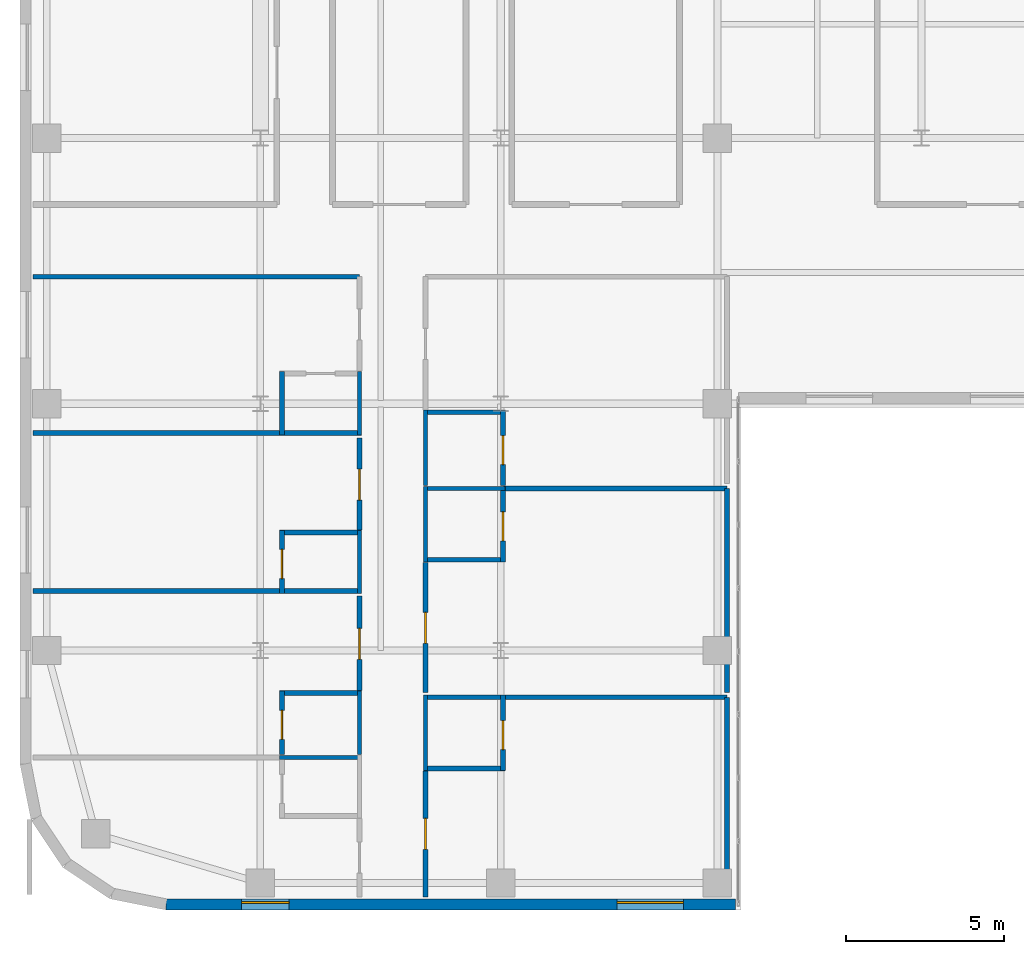
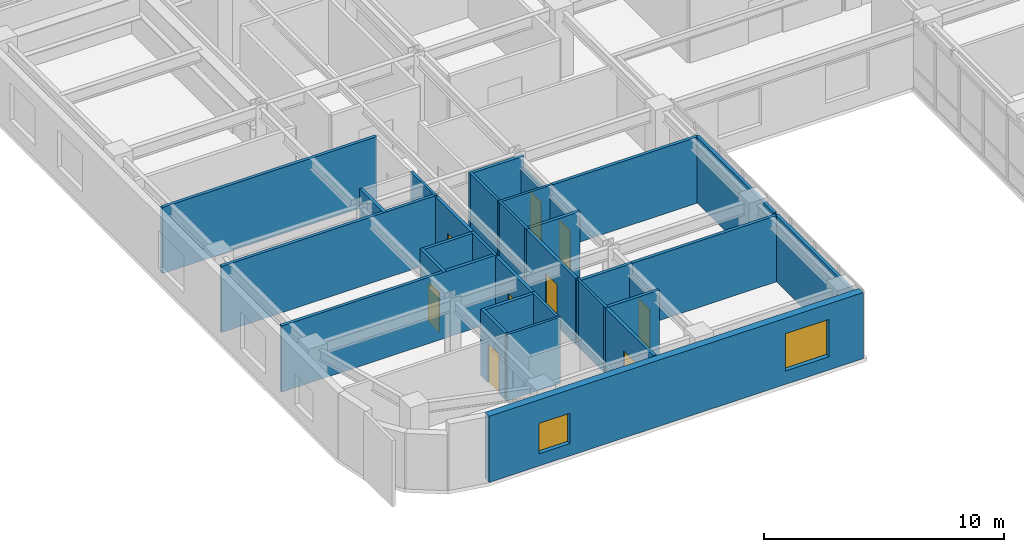
# One storey, part 10 of 17: 32 walls, 9 doors, 2 windows, 11 openings.
"""IFC4 building model written with IfcOpenShell, lengths in metres."""

from ifc_helpers import new_model, si_unit, direction, frame, frame_2d, origin, place, context, subcontext, project, spatial, rectangle, extrude, source, transform, mapped, material, layer, layer_set, type_object, type_shapes, element, fill, save


model = new_model("IFC4")

# Units and contexts
model_context = context("Model", 3, precision=1e-05, world=origin(), true_north=direction((0.0, 1.0)))
body_context = subcontext(model_context, "Body", "Model", "MODEL_VIEW")
ifc_project = project(units=[si_unit("LENGTHUNIT", "METRE"), si_unit("AREAUNIT", "SQUARE_METRE"), si_unit("VOLUMEUNIT", "CUBIC_METRE"), si_unit("PLANEANGLEUNIT", "RADIAN"), si_unit("MASSUNIT", "GRAM", prefix="KILO")], contexts=[model_context])

# Site, building, storey
site_placement = place(None, origin())
site = spatial("IfcSite", under=ifc_project, at=site_placement, CompositionType="ELEMENT")
building_placement = place(site_placement, origin())
building = spatial("IfcBuilding", under=site, at=building_placement, Name="Tolvann Quenvar Hotel", CompositionType="ELEMENT")
storey_placement = place(building_placement, frame((0.0, 0.0, 129.300048828125)))
storey = spatial("IfcBuildingStorey", under=building, at=storey_placement, Name="L33", CompositionType="ELEMENT", Elevation=129.300048828125)

# Wall, openings, windows
ifc_material_1 = material(Name="Kiln-fired red and buff architectural clay brickwork and terracotta masonry", Category="masonry")
ifc_layer_1 = layer(ifc_material_1, 0.35009765625)
ifc_layer_set_1 = layer_set([ifc_layer_1], Name="Kiln-fired red and buff architectural clay brickwork and terracotta masonry")
wall_type_1 = type_object("IfcWallType", Name="WALL_EXT_BRICK_350", PredefinedType="SOLIDWALL", material=ifc_layer_set_1)
wall_1_placement = place(storey_placement, frame((4.6171875, 0.175048828125, 0.0), z_axis=(0.0, 0.0, 1.0), x_axis=(1.0, 0.0, 0.0)))
wall_1 = element("IfcWall", 1, at=wall_1_placement, inside=storey, type_object=wall_type_1, Name="Exterior Chicago Brick Wall L33-E04", PredefinedType="SOLIDWALL", context=body_context, shape_type="SweptSolid", body=[
    extrude(rectangle(XDim=18.0078125, YDim=0.35009765625, at=frame_2d((9.00390625, 0.0))), origin(), (0.0, 0.0, 1.0), 3.369873046875),
])
opening_1_placement = place(wall_1_placement, frame((14.257080078125, 0.0, 0.679931640625)))
opening_1 = element("IfcOpeningElement", 2, at=opening_1_placement, cuts=wall_1, Name="Opening W-02", PredefinedType="OPENING", context=body_context, shape_type="SweptSolid", body=[
    extrude(rectangle(XDim=2.10009765625, YDim=1.89990234375, at=frame_2d((1.050048828125, 0.949951171875))), frame((0.0, 0.18505859375, 0.0), z_axis=(0.0, -1.0, 0.0), x_axis=(1.0, 0.0, 0.0)), (0.0, 0.0, 1.0), 0.3701171875),
])
opening_2_placement = place(wall_1_placement, frame((2.39111328125, 0.0, 0.6201171875)))
opening_2 = element("IfcOpeningElement", 3, at=opening_2_placement, cuts=wall_1, Name="Opening W-08", PredefinedType="OPENING", context=body_context, shape_type="SweptSolid", body=[
    extrude(rectangle(XDim=1.5, YDim=1.550048828125, at=frame_2d((0.75, 0.77490234375))), frame((0.0, 0.18505859375, 0.0), z_axis=(0.0, -1.0, 0.0), x_axis=(1.0, 0.0, 0.0)), (0.0, 0.0, 1.0), 0.3701171875),
])
ifc_material_2 = material(Name="Thermally broken bronze-anodised aluminium frame with double low-E glazing", Category="aluminium")
window_type_1 = type_object("IfcWindowType", Name="WIN_COR_1500x2050", PartitioningType="SINGLE_PANEL", PredefinedType="WINDOW", material=ifc_material_2)
shared_shape_1 = source(origin(), body_context, "Body", "SweptSolid", [
    extrude(rectangle(XDim=1.5, YDim=1.550048828125, at=frame_2d((0.75, 0.77490234375))), frame((0.0, 0.090087890625, 0.0), z_axis=(0.0, -1.0, 0.0), x_axis=(1.0, 0.0, 0.0)), (0.0, 0.0, 1.0), 0.06005859375),
])
type_shapes(window_type_1, [shared_shape_1])
window_1_placement = place(opening_2_placement, origin())
window_1 = element("IfcWindow", 4, at=window_1_placement, inside=storey, type_object=window_type_1, Name="Chicago Window W-08 (EW-L33-E04-WD02)", OverallHeight=1.550048828125, OverallWidth=1.5, PartitioningType="SINGLE_PANEL", PredefinedType="WINDOW", context=body_context, shape_type="MappedRepresentation", body=[
    mapped(shared_shape_1, transform((0.0, 0.0, 0.0), x_axis=(1.0, 0.0, 0.0), y_axis=(0.0, 1.0, 0.0), z_axis=(0.0, 0.0, 1.0), scale=1.0)),
])
fill(opening_2, window_1)
window_type_2 = type_object("IfcWindowType", Name="WIN_CHI_2100x2050", PartitioningType="TRIPLE_PANEL_HORIZONTAL", PredefinedType="WINDOW", material=ifc_material_2)
shared_shape_2 = source(origin(), body_context, "Body", "SweptSolid", [
    extrude(rectangle(XDim=2.10009765625, YDim=1.89990234375, at=frame_2d((1.050048828125, 0.949951171875))), frame((0.0, 0.090087890625, 0.0), z_axis=(0.0, -1.0, 0.0), x_axis=(1.0, 0.0, 0.0)), (0.0, 0.0, 1.0), 0.06005859375),
])
type_shapes(window_type_2, [shared_shape_2])
window_2_placement = place(opening_1_placement, origin())
window_2 = element("IfcWindow", 5, at=window_2_placement, inside=storey, type_object=window_type_2, Name="Chicago Window W-02 (EW-L33-E04-W01)", OverallHeight=1.89990234375, OverallWidth=2.10009765625, PartitioningType="TRIPLE_PANEL_HORIZONTAL", PredefinedType="WINDOW", context=body_context, shape_type="MappedRepresentation", body=[
    mapped(shared_shape_2, transform((0.0, 0.0, 0.0), x_axis=(1.0, 0.0, 0.0), y_axis=(0.0, 1.0, 0.0), z_axis=(0.0, 0.0, 1.0), scale=1.0)),
])
fill(opening_1, window_2)

# Walls
ifc_material_3 = material(Name="Moisture-resistant acoustic plumbing wall assembly")
ifc_layer_2 = layer(ifc_material_3, 0.1201171875)
ifc_layer_set_2 = layer_set([ifc_layer_2], Name="Moisture-resistant acoustic plumbing wall assembly")
wall_type_2 = type_object("IfcWallType", Name="WALL_PART_BATH_120", PredefinedType="PLUMBINGWALL", material=ifc_layer_set_2)
wall_2_placement = place(storey_placement, frame((8.2099609375, 4.820068359375, 0.0), z_axis=(0.0, 0.0, 1.0), x_axis=(1.0, 0.0, 0.0)))
element("IfcWall", 6, at=wall_2_placement, inside=storey, type_object=wall_type_2, Name="Non-Rated Plumbing Partition PT-SPC-L33-ENS-WO01-N", PredefinedType="PLUMBINGWALL", context=body_context, shape_type="SweptSolid", body=[
    extrude(rectangle(XDim=2.590087890625, YDim=0.1201171875, at=frame_2d((1.294921875, 0.0))), origin(), (0.0, 0.0, 1.0), 3.369873046875),
])
wall_3_placement = place(storey_placement, frame((10.72998046875, 4.909912109375, 0.0), z_axis=(0.0, 0.0, 1.0), x_axis=(0.0, 1.0, 0.0)))
element("IfcWall", 7, at=wall_3_placement, inside=storey, type_object=wall_type_2, Name="Non-Rated Plumbing Partition PT-SPC-L33-ENS-WO02-E", PredefinedType="PLUMBINGWALL", context=body_context, shape_type="SweptSolid", body=[
    extrude(rectangle(XDim=2.01708984375, YDim=0.1201171875, at=frame_2d((1.008544921875, 0.0))), origin(), (0.0, 0.0, 1.0), 3.369873046875),
])
wall_4_placement = place(storey_placement, frame((10.72998046875, 10.010009765625, 0.0), z_axis=(0.0, 0.0, 1.0), x_axis=(0.0, 1.0, 0.0)))
element("IfcWall", 8, at=wall_4_placement, inside=storey, type_object=wall_type_2, Name="Non-Rated Plumbing Partition PT-SPC-L33-ENS-WO03-E", PredefinedType="PLUMBINGWALL", context=body_context, shape_type="SweptSolid", body=[
    extrude(rectangle(XDim=1.989990234375, YDim=0.1201171875, at=frame_2d((0.9951171875, 0.0))), origin(), (0.0, 0.0, 1.0), 3.369873046875),
])
wall_5_placement = place(storey_placement, frame((10.72998046875, 15.010009765625, 0.0), z_axis=(0.0, 0.0, 1.0), x_axis=(0.0, 1.0, 0.0)))
element("IfcWall", 9, at=wall_5_placement, inside=storey, type_object=wall_type_2, Name="Non-Rated Plumbing Partition PT-SPC-L33-ENS-WO04-E", PredefinedType="PLUMBINGWALL", context=body_context, shape_type="SweptSolid", body=[
    extrude(rectangle(XDim=2.01708984375, YDim=0.1201171875, at=frame_2d((1.008544921875, 0.0))), origin(), (0.0, 0.0, 1.0), 3.369873046875),
])
wall_6_placement = place(storey_placement, frame((12.820068359375, 4.39990234375, 0.0), z_axis=(0.0, 0.0, 1.0), x_axis=(0.0, 1.0, 0.0)))
element("IfcWall", 10, at=wall_6_placement, inside=storey, type_object=wall_type_2, Name="Non-Rated Plumbing Partition PT-SPC-L33-ENS-WI01-W", PredefinedType="PLUMBINGWALL", context=body_context, shape_type="SweptSolid", body=[
    extrude(rectangle(XDim=2.39013671875, YDim=0.1201171875, at=frame_2d((1.195068359375, 0.0))), origin(), (0.0, 0.0, 1.0), 3.369873046875),
])
wall_7_placement = place(storey_placement, frame((12.75, 13.320068359375, 0.0), z_axis=(0.0, 0.0, 1.0), x_axis=(1.0, 0.0, 0.0)))
element("IfcWall", 11, at=wall_7_placement, inside=storey, type_object=wall_type_2, Name="Non-Rated Plumbing Partition PT-SPC-L33-ENS-WI02-N", PredefinedType="PLUMBINGWALL", context=body_context, shape_type="SweptSolid", body=[
    extrude(rectangle(XDim=2.590087890625, YDim=0.1201171875, at=frame_2d((1.294921875, 0.0))), origin(), (0.0, 0.0, 1.0), 3.369873046875),
])
wall_8_placement = place(storey_placement, frame((12.820068359375, 11.0, 0.0), z_axis=(0.0, 0.0, 1.0), x_axis=(0.0, 1.0, 0.0)))
element("IfcWall", 12, at=wall_8_placement, inside=storey, type_object=wall_type_2, Name="Non-Rated Plumbing Partition PT-SPC-L33-ENS-WI02-W", PredefinedType="PLUMBINGWALL", context=body_context, shape_type="SweptSolid", body=[
    extrude(rectangle(XDim=2.389892578125, YDim=0.1201171875, at=frame_2d((1.19482421875, 0.0))), origin(), (0.0, 0.0, 1.0), 3.369873046875),
])
wall_9_placement = place(storey_placement, frame((12.820068359375, 13.409912109375, 0.0), z_axis=(0.0, 0.0, 1.0), x_axis=(0.0, 1.0, 0.0)))
element("IfcWall", 13, at=wall_9_placement, inside=storey, type_object=wall_type_2, Name="Non-Rated Plumbing Partition PT-SPC-L33-ENS-WI03-W", PredefinedType="PLUMBINGWALL", context=body_context, shape_type="SweptSolid", body=[
    extrude(rectangle(XDim=2.39013671875, YDim=0.1201171875, at=frame_2d((1.195068359375, 0.0))), origin(), (0.0, 0.0, 1.0), 3.369873046875),
])

# Wall, opening, door
ifc_material_4 = material(Name="Acoustic twin-stud fire-rated gypsum plasterboard partition")
ifc_layer_3 = layer(ifc_material_4, 0.14990234375)
ifc_layer_set_3 = layer_set([ifc_layer_3], Name="Acoustic twin-stud fire-rated gypsum plasterboard partition")
wall_type_3 = type_object("IfcWallType", Name="WALL_PART_SUITE_150", PredefinedType="PARTITIONING", material=ifc_layer_set_3)
wall_10_placement = place(storey_placement, frame((8.280029296875, 4.909912109375, 0.0), z_axis=(0.0, 0.0, 1.0), x_axis=(0.0, 1.0, 0.0)))
wall_10 = element("IfcWall", 14, at=wall_10_placement, inside=storey, type_object=wall_type_3, Name="Interior Partition PT-SPC-L33-ENS-WO02-ENT", PredefinedType="PARTITIONING", context=body_context, shape_type="SweptSolid", body=[
    extrude(rectangle(XDim=2.01708984375, YDim=0.14990234375, at=frame_2d((1.008544921875, 0.0))), origin(), (0.0, 0.0, 1.0), 3.369873046875),
])
opening_3_placement = place(wall_10_placement, frame((0.478515625, 0.0, 0.0)))
opening_3 = element("IfcOpeningElement", 15, at=opening_3_placement, cuts=wall_10, Name="Opening WD-01", PredefinedType="OPENING", context=body_context, shape_type="SweptSolid", body=[
    extrude(rectangle(XDim=0.919921875, YDim=2.010009765625, at=frame_2d((0.4599609375, 1.0048828125))), frame((0.0, 0.0849609375, 0.0), z_axis=(0.0, -1.0, 0.0), x_axis=(1.0, 0.0, 0.0)), (0.0, 0.0, 1.0), 0.169921875),
])
ifc_material_5 = material(Name="Solid-core American oak acoustic fire door leaf in steel frame", Category="steel")
door_type_1 = type_object("IfcDoorType", Name="DOOR_WC_920", OperationType="NOTDEFINED", PredefinedType="DOOR", material=ifc_material_5)
shared_shape_3 = source(origin(), body_context, "Body", "SweptSolid", [
    extrude(rectangle(XDim=0.919921875, YDim=2.010009765625, at=frame_2d((0.4599609375, 1.0048828125))), frame((0.0, 0.02490234375, 0.0), z_axis=(0.0, -1.0, 0.0), x_axis=(1.0, 0.0, 0.0)), (0.0, 0.0, 1.0), 0.050048828125),
])
type_shapes(door_type_1, [shared_shape_3])
door_1_placement = place(opening_3_placement, origin())
door_1 = element("IfcDoor", 16, at=door_1_placement, inside=storey, type_object=door_type_1, Name="Interior Door DOOR-SPC-L33-ENS-WO02", OperationType="SINGLE_SWING_LEFT", OverallHeight=2.010009765625, OverallWidth=0.919921875, PredefinedType="DOOR", context=body_context, shape_type="MappedRepresentation", body=[
    mapped(shared_shape_3, transform((0.0, 0.0, 0.0), x_axis=(1.0, 0.0, 0.0), y_axis=(0.0, 1.0, 0.0), z_axis=(0.0, 0.0, 1.0), scale=1.0)),
])
fill(opening_3, door_1)

# Wall
wall_11_placement = place(storey_placement, frame((8.2099609375, 6.85693359375, 0.0), z_axis=(0.0, 0.0, 1.0), x_axis=(1.0, 0.0, 0.0)))
element("IfcWall", 17, at=wall_11_placement, inside=storey, type_object=wall_type_3, Name="Interior Partition PT-SPC-L33-ENS-WO02-N", PredefinedType="PARTITIONING", context=body_context, shape_type="SweptSolid", body=[
    extrude(rectangle(XDim=2.590087890625, YDim=0.14990234375, at=frame_2d((1.294921875, 0.0))), origin(), (0.0, 0.0, 1.0), 3.369873046875),
])

# Wall, opening, door
wall_12_placement = place(storey_placement, frame((8.280029296875, 10.010009765625, 0.0), z_axis=(0.0, 0.0, 1.0), x_axis=(0.0, 1.0, 0.0)))
wall_12 = element("IfcWall", 18, at=wall_12_placement, inside=storey, type_object=wall_type_3, Name="Interior Partition PT-SPC-L33-ENS-WO03-ENT", PredefinedType="PARTITIONING", context=body_context, shape_type="SweptSolid", body=[
    extrude(rectangle(XDim=1.989990234375, YDim=0.14990234375, at=frame_2d((0.9951171875, 0.0))), origin(), (0.0, 0.0, 1.0), 3.369873046875),
])
opening_4_placement = place(wall_12_placement, frame((0.465087890625, 0.0, 0.0)))
opening_4 = element("IfcOpeningElement", 19, at=opening_4_placement, cuts=wall_12, Name="Opening WD-01", PredefinedType="OPENING", context=body_context, shape_type="SweptSolid", body=[
    extrude(rectangle(XDim=0.919921875, YDim=2.010009765625, at=frame_2d((0.4599609375, 1.0048828125))), frame((0.0, 0.0849609375, 0.0), z_axis=(0.0, -1.0, 0.0), x_axis=(1.0, 0.0, 0.0)), (0.0, 0.0, 1.0), 0.169921875),
])
door_2_placement = place(opening_4_placement, origin())
door_2 = element("IfcDoor", 20, at=door_2_placement, inside=storey, type_object=door_type_1, Name="Interior Door DOOR-SPC-L33-ENS-WO03", OperationType="SINGLE_SWING_RIGHT", OverallHeight=2.010009765625, OverallWidth=0.919921875, PredefinedType="DOOR", context=body_context, shape_type="MappedRepresentation", body=[
    mapped(shared_shape_3, transform((0.0, 0.0, 0.0), x_axis=(1.0, 0.0, 0.0), y_axis=(0.0, 1.0, 0.0), z_axis=(0.0, 0.0, 1.0), scale=1.0)),
])
fill(opening_4, door_2)

# Walls
wall_13_placement = place(storey_placement, frame((0.405029296875, 10.080078125, 0.0), z_axis=(0.0, 0.0, 1.0), x_axis=(1.0, 0.0, 0.0)))
element("IfcWall", 21, at=wall_13_placement, inside=storey, type_object=wall_type_3, Name="Interior Partition PT-SPC-L33-ENS-WO03-S", PredefinedType="PARTITIONING", context=body_context, shape_type="SweptSolid", body=[
    extrude(rectangle(XDim=10.39501953125, YDim=0.14990234375, at=frame_2d((5.197509765625, 0.0))), origin(), (0.0, 0.0, 1.0), 3.369873046875),
])
wall_14_placement = place(storey_placement, frame((8.2099609375, 11.929931640625, 0.0), z_axis=(0.0, 0.0, 1.0), x_axis=(1.0, 0.0, 0.0)))
element("IfcWall", 22, at=wall_14_placement, inside=storey, type_object=wall_type_3, Name="Interior Partition PT-SPC-L33-ENS-WO03-N", PredefinedType="PARTITIONING", context=body_context, shape_type="SweptSolid", body=[
    extrude(rectangle(XDim=2.590087890625, YDim=0.14990234375, at=frame_2d((1.294921875, 0.0))), origin(), (0.0, 0.0, 1.0), 3.369873046875),
])
wall_15_placement = place(storey_placement, frame((8.280029296875, 15.010009765625, 0.0), z_axis=(0.0, 0.0, 1.0), x_axis=(0.0, 1.0, 0.0)))
element("IfcWall", 23, at=wall_15_placement, inside=storey, type_object=wall_type_3, Name="Interior Partition PT-SPC-L33-ENS-WO04-ENT", PredefinedType="PARTITIONING", context=body_context, shape_type="SweptSolid", body=[
    extrude(rectangle(XDim=2.01708984375, YDim=0.14990234375, at=frame_2d((1.008544921875, 0.0))), origin(), (0.0, 0.0, 1.0), 3.369873046875),
])
wall_16_placement = place(storey_placement, frame((0.405029296875, 15.080078125, 0.0), z_axis=(0.0, 0.0, 1.0), x_axis=(1.0, 0.0, 0.0)))
element("IfcWall", 24, at=wall_16_placement, inside=storey, type_object=wall_type_3, Name="Interior Partition PT-SPC-L33-ENS-WO04-S", PredefinedType="PARTITIONING", context=body_context, shape_type="SweptSolid", body=[
    extrude(rectangle(XDim=10.39501953125, YDim=0.14990234375, at=frame_2d((5.197509765625, 0.0))), origin(), (0.0, 0.0, 1.0), 3.369873046875),
])

# Wall, opening, door
wall_17_placement = place(storey_placement, frame((15.27001953125, 4.39990234375, 0.0), z_axis=(0.0, 0.0, 1.0), x_axis=(0.0, 1.0, 0.0)))
wall_17 = element("IfcWall", 25, at=wall_17_placement, inside=storey, type_object=wall_type_3, Name="Interior Partition PT-SPC-L33-ENS-WI01-ENT", PredefinedType="PARTITIONING", context=body_context, shape_type="SweptSolid", body=[
    extrude(rectangle(XDim=2.39013671875, YDim=0.14990234375, at=frame_2d((1.195068359375, 0.0))), origin(), (0.0, 0.0, 1.0), 2.826904296875),
])
opening_5_placement = place(wall_17_placement, frame((0.6650390625, 0.0, 0.0)))
opening_5 = element("IfcOpeningElement", 26, at=opening_5_placement, cuts=wall_17, Name="Opening WD-01", PredefinedType="OPENING", context=body_context, shape_type="SweptSolid", body=[
    extrude(rectangle(XDim=0.919921875, YDim=2.010009765625, at=frame_2d((0.4599609375, 1.0048828125))), frame((0.0, 0.0849609375, 0.0), z_axis=(0.0, -1.0, 0.0), x_axis=(1.0, 0.0, 0.0)), (0.0, 0.0, 1.0), 0.169921875),
])
door_3_placement = place(opening_5_placement, origin())
door_3 = element("IfcDoor", 27, at=door_3_placement, inside=storey, type_object=door_type_1, Name="Interior Door DOOR-SPC-L33-ENS-WI01", OperationType="SINGLE_SWING_RIGHT", OverallHeight=2.010009765625, OverallWidth=0.919921875, PredefinedType="DOOR", context=body_context, shape_type="MappedRepresentation", body=[
    mapped(shared_shape_3, transform((0.0, 0.0, 0.0), x_axis=(1.0, 0.0, 0.0), y_axis=(0.0, 1.0, 0.0), z_axis=(0.0, 0.0, 1.0), scale=1.0)),
])
fill(opening_5, door_3)

# Walls
for number, where, z_axis, x_axis, name in (
    (28, (12.75, 4.469970703125, 0.0), (0.0, 0.0, 1.0), (1.0, 0.0, 0.0), "Interior Partition PT-SPC-L33-ENS-WI01-S"),
    (29, (12.75, 6.719970703125, 0.0), (0.0, 0.0, 1.0), (1.0, 0.0, 0.0), "Interior Partition PT-SPC-L33-ENS-WI01-N"),
):
    element("IfcWall", number, at=place(storey_placement, frame(where, z_axis=z_axis, x_axis=x_axis)), inside=storey, type_object=wall_type_3, Name=name, PredefinedType="PARTITIONING", context=body_context, shape_type="SweptSolid", body=[
        extrude(rectangle(XDim=2.590087890625, YDim=0.14990234375, at=frame_2d((1.294921875, 0.0))), origin(), (0.0, 0.0, 1.0), 3.369873046875),
    ])

# Wall, opening, door
wall_18_placement = place(storey_placement, frame((15.27001953125, 11.0, 0.0), z_axis=(0.0, 0.0, 1.0), x_axis=(0.0, 1.0, 0.0)))
wall_18 = element("IfcWall", 30, at=wall_18_placement, inside=storey, type_object=wall_type_3, Name="Interior Partition PT-SPC-L33-ENS-WI02-ENT", PredefinedType="PARTITIONING", context=body_context, shape_type="SweptSolid", body=[
    extrude(rectangle(XDim=2.389892578125, YDim=0.14990234375, at=frame_2d((1.19482421875, 0.0))), origin(), (0.0, 0.0, 1.0), 2.826904296875),
])
opening_6_placement = place(wall_18_placement, frame((0.6650390625, 0.0, 0.0)))
opening_6 = element("IfcOpeningElement", 31, at=opening_6_placement, cuts=wall_18, Name="Opening WD-01", PredefinedType="OPENING", context=body_context, shape_type="SweptSolid", body=[
    extrude(rectangle(XDim=0.919921875, YDim=2.010009765625, at=frame_2d((0.4599609375, 1.0048828125))), frame((0.0, 0.0849609375, 0.0), z_axis=(0.0, -1.0, 0.0), x_axis=(1.0, 0.0, 0.0)), (0.0, 0.0, 1.0), 0.169921875),
])
door_4_placement = place(opening_6_placement, origin())
door_4 = element("IfcDoor", 32, at=door_4_placement, inside=storey, type_object=door_type_1, Name="Interior Door DOOR-SPC-L33-ENS-WI02", OperationType="SINGLE_SWING_LEFT", OverallHeight=2.010009765625, OverallWidth=0.919921875, PredefinedType="DOOR", context=body_context, shape_type="MappedRepresentation", body=[
    mapped(shared_shape_3, transform((0.0, 0.0, 0.0), x_axis=(1.0, 0.0, 0.0), y_axis=(0.0, 1.0, 0.0), z_axis=(0.0, 0.0, 1.0), scale=1.0)),
])
fill(opening_6, door_4)

# Wall
wall_19_placement = place(storey_placement, frame((12.75, 11.070068359375, 0.0), z_axis=(0.0, 0.0, 1.0), x_axis=(1.0, 0.0, 0.0)))
element("IfcWall", 33, at=wall_19_placement, inside=storey, type_object=wall_type_3, Name="Interior Partition PT-SPC-L33-ENS-WI02-S", PredefinedType="PARTITIONING", context=body_context, shape_type="SweptSolid", body=[
    extrude(rectangle(XDim=2.590087890625, YDim=0.14990234375, at=frame_2d((1.294921875, 0.0))), origin(), (0.0, 0.0, 1.0), 3.369873046875),
])

# Wall, opening, door
wall_20_placement = place(storey_placement, frame((15.27001953125, 13.409912109375, 0.0), z_axis=(0.0, 0.0, 1.0), x_axis=(0.0, 1.0, 0.0)))
wall_20 = element("IfcWall", 34, at=wall_20_placement, inside=storey, type_object=wall_type_3, Name="Interior Partition PT-SPC-L33-ENS-WI03-ENT", PredefinedType="PARTITIONING", context=body_context, shape_type="SweptSolid", body=[
    extrude(rectangle(XDim=2.39013671875, YDim=0.14990234375, at=frame_2d((1.195068359375, 0.0))), origin(), (0.0, 0.0, 1.0), 2.826904296875),
])
opening_7_placement = place(wall_20_placement, frame((0.6650390625, 0.0, 0.0)))
opening_7 = element("IfcOpeningElement", 35, at=opening_7_placement, cuts=wall_20, Name="Opening WD-01", PredefinedType="OPENING", context=body_context, shape_type="SweptSolid", body=[
    extrude(rectangle(XDim=0.919921875, YDim=2.010009765625, at=frame_2d((0.4599609375, 1.0048828125))), frame((0.0, 0.0849609375, 0.0), z_axis=(0.0, -1.0, 0.0), x_axis=(1.0, 0.0, 0.0)), (0.0, 0.0, 1.0), 0.169921875),
])
door_5_placement = place(opening_7_placement, origin())
door_5 = element("IfcDoor", 36, at=door_5_placement, inside=storey, type_object=door_type_1, Name="Interior Door DOOR-SPC-L33-ENS-WI03", OperationType="SINGLE_SWING_RIGHT", OverallHeight=2.010009765625, OverallWidth=0.919921875, PredefinedType="DOOR", context=body_context, shape_type="MappedRepresentation", body=[
    mapped(shared_shape_3, transform((0.0, 0.0, 0.0), x_axis=(1.0, 0.0, 0.0), y_axis=(0.0, 1.0, 0.0), z_axis=(0.0, 0.0, 1.0), scale=1.0)),
])
fill(opening_7, door_5)

# Wall
wall_21_placement = place(storey_placement, frame((12.75, 15.72998046875, 0.0), z_axis=(0.0, 0.0, 1.0), x_axis=(1.0, 0.0, 0.0)))
element("IfcWall", 37, at=wall_21_placement, inside=storey, type_object=wall_type_3, Name="Interior Partition PT-SPC-L33-ENS-WI03-N", PredefinedType="PARTITIONING", context=body_context, shape_type="SweptSolid", body=[
    extrude(rectangle(XDim=2.590087890625, YDim=0.14990234375, at=frame_2d((1.294921875, 0.0))), origin(), (0.0, 0.0, 1.0), 3.369873046875),
])

# Wall, opening, door
wall_22_placement = place(storey_placement, frame((10.72998046875, 6.93701171875, 0.0), z_axis=(0.0, 0.0, 1.0), x_axis=(0.0, 1.0, 0.0)))
wall_22 = element("IfcWall", 38, at=wall_22_placement, inside=storey, type_object=wall_type_3, Name="Interior Partition PT-SPC-L33-RM-WO02-ENT", PredefinedType="PARTITIONING", context=body_context, shape_type="SweptSolid", body=[
    extrude(rectangle(XDim=2.98291015625, YDim=0.14990234375, at=frame_2d((1.491455078125, 0.0))), origin(), (0.0, 0.0, 1.0), 3.369873046875),
])
opening_8_placement = place(wall_22_placement, frame((0.9814453125, 0.0, 0.0)))
opening_8 = element("IfcOpeningElement", 39, at=opening_8_placement, cuts=wall_22, Name="Opening SD-01", PredefinedType="OPENING", context=body_context, shape_type="SweptSolid", body=[
    extrude(rectangle(XDim=0.97998046875, YDim=2.1201171875, at=frame_2d((0.489990234375, 1.06005859375))), frame((0.0, 0.0849609375, 0.0), z_axis=(0.0, -1.0, 0.0), x_axis=(1.0, 0.0, 0.0)), (0.0, 0.0, 1.0), 0.169921875),
])
door_type_2 = type_object("IfcDoorType", Name="DOOR_SUITE_980", OperationType="NOTDEFINED", PredefinedType="DOOR", material=ifc_material_5)
shared_shape_4 = source(origin(), body_context, "Body", "SweptSolid", [
    extrude(rectangle(XDim=0.97998046875, YDim=2.1201171875, at=frame_2d((0.489990234375, 1.06005859375))), frame((0.0, 0.02490234375, 0.0), z_axis=(0.0, -1.0, 0.0), x_axis=(1.0, 0.0, 0.0)), (0.0, 0.0, 1.0), 0.050048828125),
])
type_shapes(door_type_2, [shared_shape_4])
door_6_placement = place(opening_8_placement, origin())
door_6 = element("IfcDoor", 40, at=door_6_placement, inside=storey, type_object=door_type_2, Name="Interior Door DOOR-SPC-L33-RM-WO02", OperationType="SINGLE_SWING_RIGHT", OverallHeight=2.1201171875, OverallWidth=0.97998046875, PredefinedType="DOOR", context=body_context, shape_type="MappedRepresentation", body=[
    mapped(shared_shape_4, transform((0.0, 0.0, 0.0), x_axis=(1.0, 0.0, 0.0), y_axis=(0.0, 1.0, 0.0), z_axis=(0.0, 0.0, 1.0), scale=1.0)),
])
fill(opening_8, door_6)

wall_23_placement = place(storey_placement, frame((10.72998046875, 12.010009765625, 0.0), z_axis=(0.0, 0.0, 1.0), x_axis=(0.0, 1.0, 0.0)))
wall_23 = element("IfcWall", 41, at=wall_23_placement, inside=storey, type_object=wall_type_3, Name="Interior Partition PT-SPC-L33-RM-WO03-ENT", PredefinedType="PARTITIONING", context=body_context, shape_type="SweptSolid", body=[
    extrude(rectangle(XDim=2.909912109375, YDim=0.14990234375, at=frame_2d((1.455078125, 0.0))), origin(), (0.0, 0.0, 1.0), 3.369873046875),
])
opening_9_placement = place(wall_23_placement, frame((0.945068359375, 0.0, 0.0)))
opening_9 = element("IfcOpeningElement", 42, at=opening_9_placement, cuts=wall_23, Name="Opening SD-01", PredefinedType="OPENING", context=body_context, shape_type="SweptSolid", body=[
    extrude(rectangle(XDim=0.97998046875, YDim=2.1201171875, at=frame_2d((0.489990234375, 1.06005859375))), frame((0.0, 0.0849609375, 0.0), z_axis=(0.0, -1.0, 0.0), x_axis=(1.0, 0.0, 0.0)), (0.0, 0.0, 1.0), 0.169921875),
])
door_7_placement = place(opening_9_placement, origin())
door_7 = element("IfcDoor", 43, at=door_7_placement, inside=storey, type_object=door_type_2, Name="Interior Door DOOR-SPC-L33-RM-WO03", OperationType="SINGLE_SWING_LEFT", OverallHeight=2.1201171875, OverallWidth=0.97998046875, PredefinedType="DOOR", context=body_context, shape_type="MappedRepresentation", body=[
    mapped(shared_shape_4, transform((0.0, 0.0, 0.0), x_axis=(1.0, 0.0, 0.0), y_axis=(0.0, 1.0, 0.0), z_axis=(0.0, 0.0, 1.0), scale=1.0)),
])
fill(opening_9, door_7)

# Wall
wall_24_placement = place(storey_placement, frame((0.405029296875, 20.02001953125, 0.0), z_axis=(0.0, 0.0, 1.0), x_axis=(1.0, 0.0, 0.0)))
element("IfcWall", 44, at=wall_24_placement, inside=storey, type_object=wall_type_3, Name="Interior Partition PT-SPC-L33-RM-WO04-E5", PredefinedType="PARTITIONING", context=body_context, shape_type="SweptSolid", body=[
    extrude(rectangle(XDim=10.324951171875, YDim=0.14990234375, at=frame_2d((5.16259765625, 0.0))), origin(), (0.0, 0.0, 1.0), 3.369873046875),
])

# Wall, opening, door
wall_25_placement = place(storey_placement, frame((12.820068359375, 0.405029296875, 0.0), z_axis=(0.0, 0.0, 1.0), x_axis=(0.0, 1.0, 0.0)))
wall_25 = element("IfcWall", 45, at=wall_25_placement, inside=storey, type_object=wall_type_3, Name="Interior Partition PT-SPC-L33-RM-WI01-ENT", PredefinedType="PARTITIONING", context=body_context, shape_type="SweptSolid", body=[
    extrude(rectangle(XDim=3.98486328125, YDim=0.14990234375, at=frame_2d((1.992431640625, 0.0))), origin(), (0.0, 0.0, 1.0), 3.369873046875),
])
opening_10_placement = place(wall_25_placement, frame((1.510009765625, 0.0, 0.0)))
opening_10 = element("IfcOpeningElement", 46, at=opening_10_placement, cuts=wall_25, Name="Opening SD-01", PredefinedType="OPENING", context=body_context, shape_type="SweptSolid", body=[
    extrude(rectangle(XDim=0.97998046875, YDim=2.1201171875, at=frame_2d((0.489990234375, 1.06005859375))), frame((0.0, 0.0849609375, 0.0), z_axis=(0.0, -1.0, 0.0), x_axis=(1.0, 0.0, 0.0)), (0.0, 0.0, 1.0), 0.169921875),
])
door_8_placement = place(opening_10_placement, origin())
door_8 = element("IfcDoor", 47, at=door_8_placement, inside=storey, type_object=door_type_2, Name="Interior Door DOOR-SPC-L33-RM-WI01", OperationType="SINGLE_SWING_LEFT", OverallHeight=2.1201171875, OverallWidth=0.97998046875, PredefinedType="DOOR", context=body_context, shape_type="MappedRepresentation", body=[
    mapped(shared_shape_4, transform((0.0, 0.0, 0.0), x_axis=(1.0, 0.0, 0.0), y_axis=(0.0, 1.0, 0.0), z_axis=(0.0, 0.0, 1.0), scale=1.0)),
])
fill(opening_10, door_8)

# Walls
wall_26_placement = place(storey_placement, frame((22.35009765625, 0.405029296875, 0.0), z_axis=(0.0, 0.0, 1.0), x_axis=(0.0, 1.0, 0.0)))
element("IfcWall", 48, at=wall_26_placement, inside=storey, type_object=wall_type_3, Name="Interior Partition PT-SPC-L33-RM-WI01-E2", PredefinedType="PARTITIONING", context=body_context, shape_type="SweptSolid", body=[
    extrude(rectangle(XDim=6.31494140625, YDim=0.14990234375, at=frame_2d((3.157470703125, 0.0))), origin(), (0.0, 0.0, 1.0), 3.369873046875),
])
wall_27_placement = place(storey_placement, frame((15.2900390625, 6.719970703125, 0.0), z_axis=(0.0, 0.0, 1.0), x_axis=(1.0, 0.0, 0.0)))
element("IfcWall", 49, at=wall_27_placement, inside=storey, type_object=wall_type_3, Name="Interior Partition PT-SPC-L33-RM-WI01-E3", PredefinedType="PARTITIONING", context=body_context, shape_type="SweptSolid", body=[
    extrude(rectangle(XDim=7.06005859375, YDim=0.14990234375, at=frame_2d((3.530029296875, 0.0))), origin(), (0.0, 0.0, 1.0), 3.369873046875),
])

# Wall, opening, door
wall_28_placement = place(storey_placement, frame((12.820068359375, 6.8798828125, 0.0), z_axis=(0.0, 0.0, 1.0), x_axis=(0.0, 1.0, 0.0)))
wall_28 = element("IfcWall", 50, at=wall_28_placement, inside=storey, type_object=wall_type_3, Name="Interior Partition PT-SPC-L33-RM-WI02-ENT", PredefinedType="PARTITIONING", context=body_context, shape_type="SweptSolid", body=[
    extrude(rectangle(XDim=4.110107421875, YDim=0.14990234375, at=frame_2d((2.05517578125, 0.0))), origin(), (0.0, 0.0, 1.0), 3.369873046875),
])
opening_11_placement = place(wall_28_placement, frame((1.544921875, 0.0, 0.0)))
opening_11 = element("IfcOpeningElement", 51, at=opening_11_placement, cuts=wall_28, Name="Opening SD-01", PredefinedType="OPENING", context=body_context, shape_type="SweptSolid", body=[
    extrude(rectangle(XDim=0.97998046875, YDim=2.1201171875, at=frame_2d((0.489990234375, 1.06005859375))), frame((0.0, 0.0849609375, 0.0), z_axis=(0.0, -1.0, 0.0), x_axis=(1.0, 0.0, 0.0)), (0.0, 0.0, 1.0), 0.169921875),
])
door_9_placement = place(opening_11_placement, origin())
door_9 = element("IfcDoor", 52, at=door_9_placement, inside=storey, type_object=door_type_2, Name="Interior Door DOOR-SPC-L33-RM-WI02", OperationType="SINGLE_SWING_RIGHT", OverallHeight=2.1201171875, OverallWidth=0.97998046875, PredefinedType="DOOR", context=body_context, shape_type="MappedRepresentation", body=[
    mapped(shared_shape_4, transform((0.0, 0.0, 0.0), x_axis=(1.0, 0.0, 0.0), y_axis=(0.0, 1.0, 0.0), z_axis=(0.0, 0.0, 1.0), scale=1.0)),
])
fill(opening_11, door_9)

# Walls
wall_29_placement = place(storey_placement, frame((22.35009765625, 6.8798828125, 0.0), z_axis=(0.0, 0.0, 1.0), x_axis=(0.0, 1.0, 0.0)))
element("IfcWall", 53, at=wall_29_placement, inside=storey, type_object=wall_type_3, Name="Interior Partition PT-SPC-L33-RM-WI02-E2", PredefinedType="PARTITIONING", context=body_context, shape_type="SweptSolid", body=[
    extrude(rectangle(XDim=6.440185546875, YDim=0.14990234375, at=frame_2d((3.22021484375, 0.0))), origin(), (0.0, 0.0, 1.0), 3.369873046875),
])
wall_30_placement = place(storey_placement, frame((15.2900390625, 13.320068359375, 0.0), z_axis=(0.0, 0.0, 1.0), x_axis=(1.0, 0.0, 0.0)))
element("IfcWall", 54, at=wall_30_placement, inside=storey, type_object=wall_type_3, Name="Interior Partition PT-SPC-L33-RM-WI02-E3", PredefinedType="PARTITIONING", context=body_context, shape_type="SweptSolid", body=[
    extrude(rectangle(XDim=7.06005859375, YDim=0.14990234375, at=frame_2d((3.530029296875, 0.0))), origin(), (0.0, 0.0, 1.0), 3.369873046875),
])

save(model, "model.ifc")
